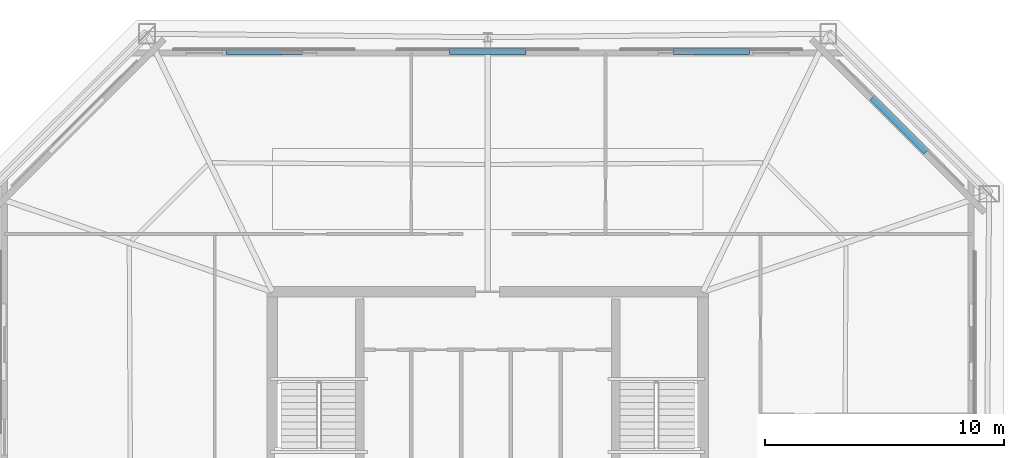
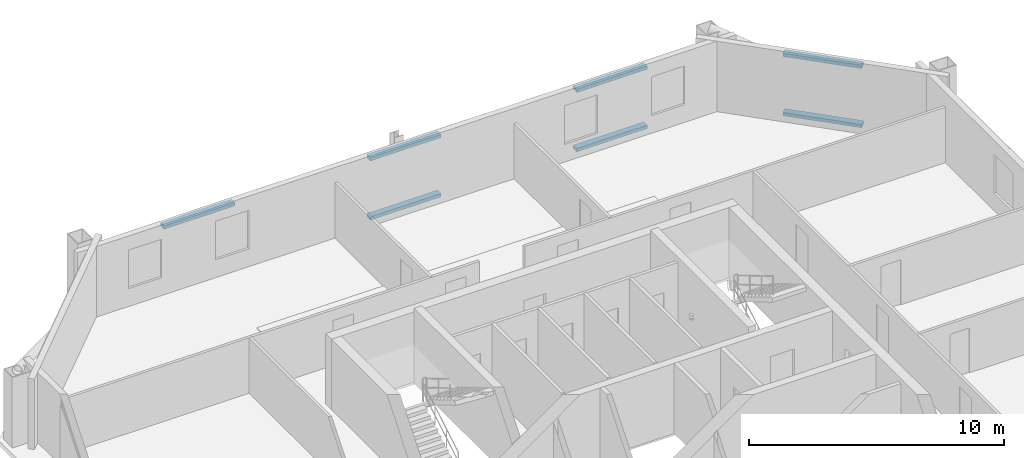
# One storey, part 5 of 7: 7 discrete accessories.
"""IFC4 building model written with IfcOpenShell, lengths in metres."""

from ifc_helpers import new_model, si_unit, direction, frame, origin, origin_2d, place, context, subcontext, project, spatial, rectangle, extrude, material, type_object, element, save


model = new_model("IFC4")

# Units and contexts
model_context = context("Model", 3, precision=1e-05, world=origin(), true_north=direction((0.0, 1.0)))
body_context = subcontext(model_context, "Body", "Model", "MODEL_VIEW")
ifc_project = project(units=[si_unit("LENGTHUNIT", "METRE"), si_unit("AREAUNIT", "SQUARE_METRE"), si_unit("VOLUMEUNIT", "CUBIC_METRE"), si_unit("PLANEANGLEUNIT", "RADIAN"), si_unit("MASSUNIT", "GRAM", prefix="KILO")], contexts=[model_context])

# Site, building, storey
site_placement = place(None, origin())
site = spatial("IfcSite", under=ifc_project, at=site_placement, CompositionType="ELEMENT")
building_placement = place(site_placement, origin())
building = spatial("IfcBuilding", under=site, at=building_placement, Name="Caelvoria Tower", CompositionType="ELEMENT")
storey_placement = place(building_placement, frame((0.0, 0.0, 213.0)))
storey = spatial("IfcBuildingStorey", under=building, at=storey_placement, Name="L56", CompositionType="ELEMENT", Elevation=213.0)

# Discrete accessories
ifc_material = material(Name="Anodised Bronze Stainless Bracket", Category="bronze")
discrete_accessory_type = type_object("IfcDiscreteAccessoryType", Name="Solar Screen Outrigger Support Bracket", PredefinedType="BRACKET", material=ifc_material)
for number, where, z_axis, x_axis, name in (
    (1, (63.20751953125, 46.98486328125, 0.240234375), (0.0, 0.0, 1.0), (-0.707106781187, 0.707106781187, 0.0), "Solar Screen Bracket L56-E3-00"),
    (2, (63.20751953125, 46.98486328125, 3.0751953125), (0.0, 0.0, 1.0), (-0.707106781187, 0.707106781187, 0.0), "Upper Screen Band Bracket L56-E3-00"),
    (3, (55.344970703125, 50.056396484375, 0.240234375), (0.0, 0.0, 1.0), (-1.0, 0.0, 0.0), "Solar Screen Bracket L56-E4-00"),
    (4, (55.344970703125, 50.056396484375, 3.0751953125), (0.0, 0.0, 1.0), (-1.0, 0.0, 0.0), "Upper Screen Band Bracket L56-E4-00"),
    (5, (46.0, 50.056396484375, 0.240234375), (0.0, 0.0, 1.0), (-1.0, 0.0, 0.0), "Solar Screen Bracket L56-E4-01"),
    (6, (46.0, 50.056396484375, 3.0751953125), (0.0, 0.0, 1.0), (-1.0, 0.0, 0.0), "Upper Screen Band Bracket L56-E4-01"),
    (7, (36.655029296875, 50.056396484375, 3.0751953125), (0.0, 0.0, 1.0), (-1.0, 0.0, 0.0), "Upper Screen Band Bracket L56-E4-02"),
):
    element("IfcDiscreteAccessory", number, at=place(storey_placement, frame(where, z_axis=z_axis, x_axis=x_axis)), inside=storey, type_object=discrete_accessory_type, Name=name, PredefinedType="BRACKET", context=body_context, shape_type="SweptSolid", body=[
        extrude(rectangle(XDim=3.199951171875, YDim=0.280029296875, at=origin_2d()), origin(), (0.0, 0.0, 1.0), 0.159912109375),
    ])

save(model, "model.ifc")
